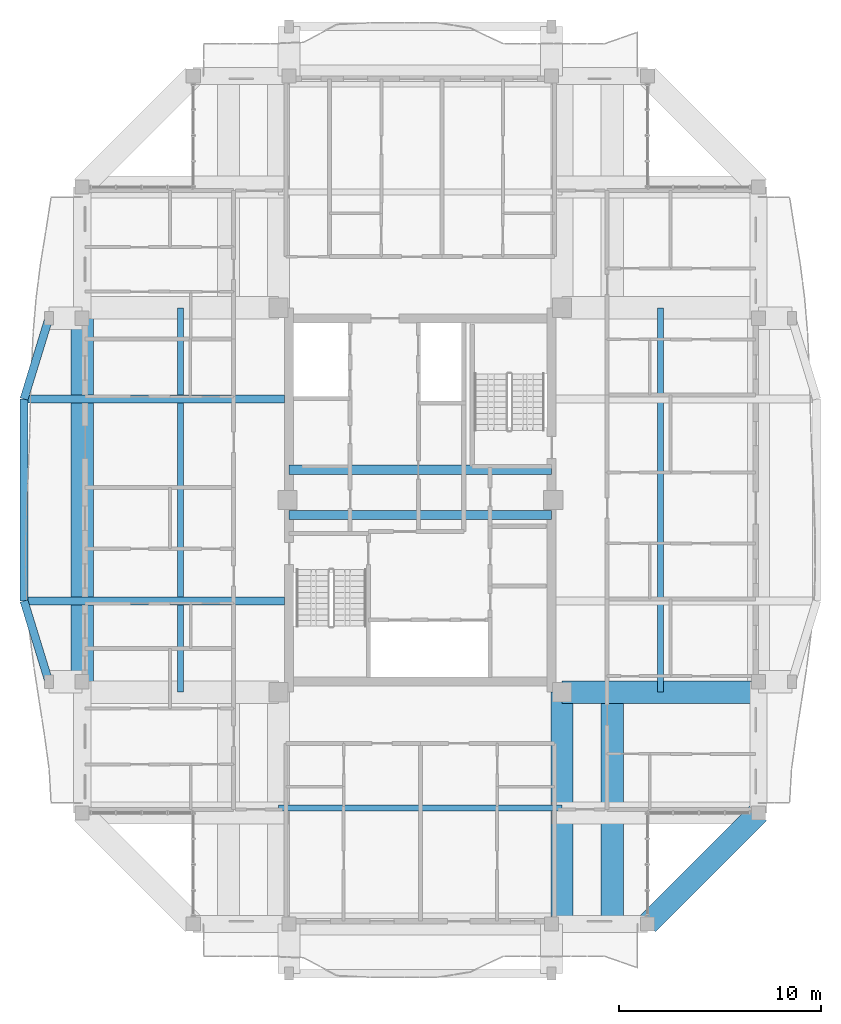
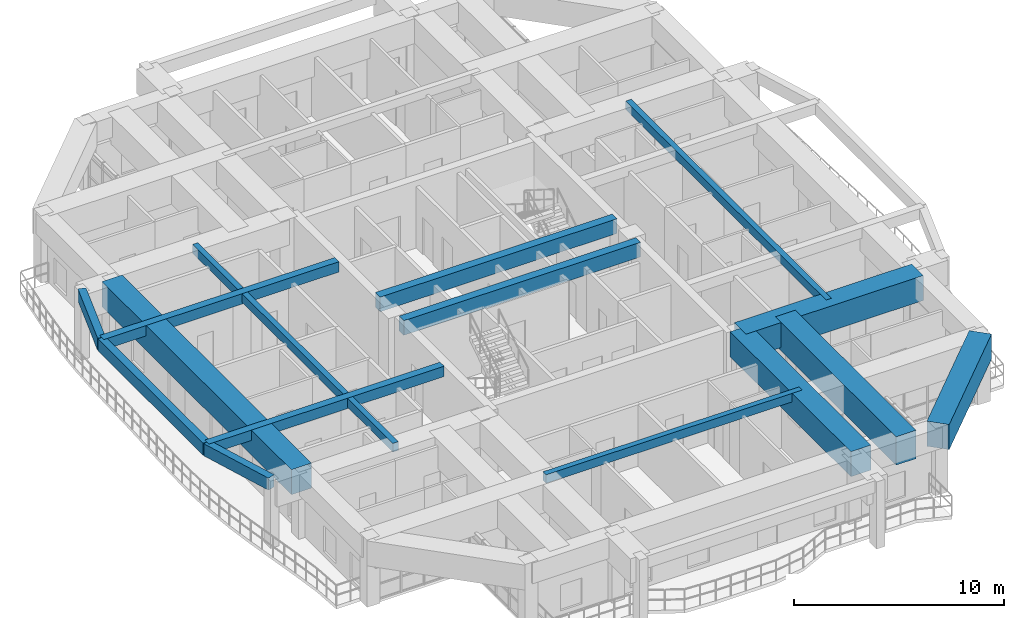
# One storey, part 5 of 27: 15 beams.
"""IFC4 building model written with IfcOpenShell, lengths in metres."""

from ifc_helpers import new_model, si_unit, direction, frame, origin, origin_2d, place, context, subcontext, project, spatial, rectangle, extrude, source, transform, mapped, material, material_profile, profile_set, type_object, element, save


model = new_model("IFC4")

# Units and contexts
model_context = context("Model", 3, precision=1e-05, world=origin(), true_north=direction((0.0, 1.0)))
body_context = subcontext(model_context, "Body", "Model", "MODEL_VIEW")
ifc_project = project(units=[si_unit("LENGTHUNIT", "METRE"), si_unit("AREAUNIT", "SQUARE_METRE"), si_unit("VOLUMEUNIT", "CUBIC_METRE"), si_unit("PLANEANGLEUNIT", "RADIAN"), si_unit("MASSUNIT", "GRAM", prefix="KILO")], contexts=[model_context])

# Site, building, storey
site_placement = place(None, origin())
site = spatial("IfcSite", under=ifc_project, at=site_placement, CompositionType="ELEMENT")
building_placement = place(site_placement, origin())
building = spatial("IfcBuilding", under=site, at=building_placement, Name="Saelheon Loggia Tower", CompositionType="ELEMENT")
storey_placement = place(building_placement, frame((0.0, 0.0, 236.10009765625)))
storey = spatial("IfcBuildingStorey", under=building, at=storey_placement, Name="L73", CompositionType="ELEMENT", Elevation=236.10009765625)

# Beams
ifc_material_1 = material(Name="Concrete C50/60", Category="concrete")
ifc_material_profile_1 = material_profile(ifc_material_1, rectangle(XDim=0.449951171875, YDim=0.85009765625, at=origin_2d()), Name="RC-450x850")
ifc_profile_set_1 = profile_set([ifc_material_profile_1], Name="Concrete C50/60")
beam_type_1 = type_object("IfcBeamType", Name="Beam_CoreLintel_RC450x850", PredefinedType="LINTEL", material=ifc_profile_set_1)
shared_shape_1 = source(origin(), body_context, "Body", "SweptSolid", [
    extrude(rectangle(XDim=0.449951171875, YDim=0.85009765625, at=origin_2d()), origin(), (0.0, 0.0, 1.0), 13.0),
])
for number, where, z_axis, x_axis, name in (
    (1, (31.5, 26.25, 3.474853515625), (1.0, 0.0, 0.0), (0.0, 1.0, 0.0), "L73 Core Coupling Lintel 1"),
    (2, (31.5, 28.5, 3.474853515625), (1.0, 0.0, 0.0), (0.0, 1.0, 0.0), "L73 Core Coupling Lintel 2"),
):
    element("IfcBeam", number, at=place(storey_placement, frame(where, z_axis=z_axis, x_axis=x_axis)), inside=storey, type_object=beam_type_1, Name=name, PredefinedType="LINTEL", context=body_context, shape_type="MappedRepresentation", body=[
        mapped(shared_shape_1, transform((0.0, 0.0, 0.0), scale=1.0)),
    ])
ifc_material_2 = material(Name="Concrete C40/50", Category="concrete")
ifc_material_profile_2 = material_profile(ifc_material_2, rectangle(XDim=0.300048828125, YDim=0.5, at=origin_2d()), Name="RC-300x500")
ifc_profile_set_2 = profile_set([ifc_material_profile_2], Name="Concrete C40/50")
beam_type_2 = type_object("IfcBeamType", Name="Beam_Joist_RC300x500", PredefinedType="JOIST", material=ifc_profile_set_2)
shared_shape_2 = source(origin(), body_context, "Body", "SweptSolid", [
    extrude(rectangle(XDim=0.300048828125, YDim=0.5, at=origin_2d()), origin(), (0.0, 0.0, 1.0), 14.0400390625),
])
beam_1_placement = place(storey_placement, frame((30.97998046875, 11.739990234375, 3.64990234375), z_axis=(1.0, 0.0, 0.0), x_axis=(0.0, 1.0, 0.0)))
element("IfcBeam", 3, at=beam_1_placement, inside=storey, type_object=beam_type_2, Name="L73 South Floor Joist", PredefinedType="JOIST", context=body_context, shape_type="MappedRepresentation", body=[
    mapped(shared_shape_2, transform((0.0, 0.0, 0.0), scale=1.0)),
])
shared_shape_3 = source(origin(), body_context, "Body", "SweptSolid", [
    extrude(rectangle(XDim=0.300048828125, YDim=0.5, at=origin_2d()), origin(), (0.0, 0.0, 1.0), 19.0400390625),
])
for number, where, z_axis, x_axis, name in (
    (4, (26.114990234375, 17.47998046875, 3.64990234375), (0.0, 1.0, 0.0), (-1.0, 0.0, 0.0), "L73 West Floor Joist"),
    (5, (49.885009765625, 17.47998046875, 3.64990234375), (0.0, 1.0, 0.0), (-1.0, 0.0, 0.0), "L73 East Floor Joist"),
):
    element("IfcBeam", number, at=place(storey_placement, frame(where, z_axis=z_axis, x_axis=x_axis)), inside=storey, type_object=beam_type_2, Name=name, PredefinedType="JOIST", context=body_context, shape_type="MappedRepresentation", body=[
        mapped(shared_shape_3, transform((0.0, 0.0, 0.0), scale=1.0)),
    ])
ifc_material_profile_3 = material_profile(ifc_material_1, rectangle(XDim=1.10009765625, YDim=1.449951171875, at=origin_2d()), Name="RC-1100x1450")
ifc_profile_set_3 = profile_set([ifc_material_profile_3], Name="Concrete C50/60")
beam_type_3 = type_object("IfcBeamType", Name="Beam_PerimTransfer_RC1100x1450", PredefinedType="BEAM", material=ifc_profile_set_3)
shared_shape_4 = source(origin(), body_context, "Body", "SweptSolid", [
    extrude(rectangle(XDim=1.10009765625, YDim=1.449951171875, at=origin_2d()), origin(), (0.0, 0.0, 1.0), 18.0),
])
beam_2_placement = place(storey_placement, frame((21.25, 36.0, 3.1748046875), z_axis=(0.0, -1.0, 0.0), x_axis=(1.0, 0.0, 0.0)))
element("IfcBeam", 6, at=beam_2_placement, inside=storey, type_object=beam_type_3, Name="L73 Perimeter Frame Girder 14", PredefinedType="BEAM", context=body_context, shape_type="MappedRepresentation", body=[
    mapped(shared_shape_4, transform((0.0, 0.0, 0.0), scale=1.0)),
])
ifc_material_profile_4 = material_profile(ifc_material_1, rectangle(XDim=1.10009765625, YDim=1.449951171875, at=origin_2d()), Name="RC-1100x1450")
ifc_profile_set_4 = profile_set([ifc_material_profile_4], Name="Concrete C50/60")
beam_type_4 = type_object("IfcBeamType", Name="Beam_Transfer_RC1100x1450", PredefinedType="BEAM", material=ifc_profile_set_4)
shared_shape_5 = source(origin(), body_context, "Body", "SweptSolid", [
    extrude(rectangle(XDim=1.10009765625, YDim=1.449951171875, at=origin_2d()), origin(), (0.0, 0.0, 1.0), 11.47998046875),
])
beam_3_placement = place(storey_placement, frame((45.02001953125, 17.47998046875, 3.1748046875), z_axis=(0.0, -1.0, 0.0), x_axis=(1.0, 0.0, 0.0)))
element("IfcBeam", 7, at=beam_3_placement, inside=storey, type_object=beam_type_4, Name="L73 Radial Floor Girder RAD-SE-S", PredefinedType="BEAM", context=body_context, shape_type="MappedRepresentation", body=[
    mapped(shared_shape_5, transform((0.0, 0.0, 0.0), scale=1.0)),
])
ifc_material_profile_5 = material_profile(ifc_material_1, rectangle(XDim=1.10009765625, YDim=1.64990234375, at=origin_2d()), Name="RC-1100x1650")
ifc_profile_set_5 = profile_set([ifc_material_profile_5], Name="Concrete C50/60")
beam_type_5 = type_object("IfcBeamType", Name="Beam_MegaTransfer_RC1100x1650", PredefinedType="BEAM", material=ifc_profile_set_5)
shared_shape_6 = source(origin(), body_context, "Body", "SweptSolid", [
    extrude(rectangle(XDim=1.10009765625, YDim=1.64990234375, at=origin_2d()), origin(), (0.0, 0.0, 1.0), 11.47998046875),
])
beam_4_placement = place(storey_placement, frame((47.5, 6.0, 3.074951171875), z_axis=(0.0, 1.0, 0.0), x_axis=(-1.0, 0.0, 0.0)))
element("IfcBeam", 8, at=beam_4_placement, inside=storey, type_object=beam_type_5, Name="TG-L73-NL-SE", PredefinedType="BEAM", context=body_context, shape_type="MappedRepresentation", body=[
    mapped(shared_shape_6, transform((0.0, 0.0, 0.0), scale=1.0)),
])
ifc_material_3 = material(Name="Precast Concrete C45/55", Category="concrete")
ifc_material_profile_6 = material_profile(ifc_material_3, rectangle(XDim=0.39990234375, YDim=0.699951171875, at=origin_2d()), Name="RC-400x700")
ifc_profile_set_6 = profile_set([ifc_material_profile_6], Name="Precast Concrete C45/55")
beam_type_6 = type_object("IfcBeamType", Name="Beam_LoggiaSpandrel_RC400x700", PredefinedType="SPANDREL", material=ifc_profile_set_6)
shared_shape_7 = source(origin(), body_context, "Body", "SweptSolid", [
    extrude(rectangle(XDim=0.39990234375, YDim=0.699951171875, at=origin_2d()), origin(), (0.0, 0.0, 1.0), 4.184814453125),
])
for number, where, z_axis, x_axis, name in (
    (9, (19.60009765625, 18.0, 3.5498046875), (-0.293913664135, 0.955831971653, 0.0), (-0.955831971653, -0.293913664135, 0.0), "L73 Curved Loggia Spandrel W 1"),
    (10, (18.3701171875, 32.0, 3.5498046875), (0.293913664135, 0.955831971653, 0.0), (-0.955831971653, 0.293913664135, 0.0), "L73 Curved Loggia Spandrel W 3"),
):
    element("IfcBeam", number, at=place(storey_placement, frame(where, z_axis=z_axis, x_axis=x_axis)), inside=storey, type_object=beam_type_6, Name=name, PredefinedType="SPANDREL", context=body_context, shape_type="MappedRepresentation", body=[
        mapped(shared_shape_7, transform((0.0, 0.0, 0.0), scale=1.0)),
    ])
shared_shape_8 = source(origin(), body_context, "Body", "SweptSolid", [
    extrude(rectangle(XDim=0.39990234375, YDim=0.699951171875, at=origin_2d()), origin(), (0.0, 0.0, 1.0), 10.0),
])
beam_5_placement = place(storey_placement, frame((18.3701171875, 22.0, 3.5498046875), z_axis=(0.0, 1.0, 0.0), x_axis=(-1.0, 0.0, 0.0)))
element("IfcBeam", 11, at=beam_5_placement, inside=storey, type_object=beam_type_6, Name="L73 Curved Loggia Spandrel W 2", PredefinedType="SPANDREL", context=body_context, shape_type="MappedRepresentation", body=[
    mapped(shared_shape_8, transform((0.0, 0.0, 0.0), scale=1.0)),
])
shared_shape_9 = source(origin(), body_context, "Body", "SweptSolid", [
    extrude(rectangle(XDim=1.10009765625, YDim=1.449951171875, at=origin_2d()), origin(), (0.0, 0.0, 1.0), 7.778076171875),
])
beam_6_placement = place(storey_placement, frame((49.25, 6.0, 3.1748046875), z_axis=(0.707106781187, 0.707106781187, 0.0), x_axis=(-0.707106781187, 0.707106781187, 0.0)))
element("IfcBeam", 12, at=beam_6_placement, inside=storey, type_object=beam_type_3, Name="L73 Perimeter Frame Girder 04", PredefinedType="BEAM", context=body_context, shape_type="MappedRepresentation", body=[
    mapped(shared_shape_9, transform((0.0, 0.0, 0.0), scale=1.0)),
])
ifc_material_profile_7 = material_profile(ifc_material_3, rectangle(XDim=0.39990234375, YDim=0.60009765625, at=origin_2d()), Name="RC-400x600")
ifc_profile_set_7 = profile_set([ifc_material_profile_7], Name="Precast Concrete C45/55")
beam_type_7 = type_object("IfcBeamType", Name="Beam_LoggiaTie_RC400x600", PredefinedType="BEAM", material=ifc_profile_set_7)
shared_shape_10 = source(origin(), body_context, "Body", "SweptSolid", [
    extrude(rectangle(XDim=0.39990234375, YDim=0.60009765625, at=origin_2d()), origin(), (0.0, 0.0, 1.0), 12.909912109375),
])
for number, where, z_axis, x_axis, name in (
    (13, (31.280029296875, 22.0, 3.599853515625), (-1.0, 0.0, 0.0), (0.0, -1.0, 0.0), "L73 Curved Facade Outrigger Beam W 1"),
    (14, (31.280029296875, 32.0, 3.599853515625), (-1.0, 0.0, 0.0), (0.0, -1.0, 0.0), "L73 Curved Facade Outrigger Beam W 2"),
):
    element("IfcBeam", number, at=place(storey_placement, frame(where, z_axis=z_axis, x_axis=x_axis)), inside=storey, type_object=beam_type_7, Name=name, PredefinedType="BEAM", context=body_context, shape_type="MappedRepresentation", body=[
        mapped(shared_shape_10, transform((0.0, 0.0, 0.0), scale=1.0)),
    ])
shared_shape_11 = source(origin(), body_context, "Body", "SweptSolid", [
    extrude(rectangle(XDim=1.10009765625, YDim=1.449951171875, at=origin_2d()), origin(), (0.0, 0.0, 1.0), 9.72998046875),
])
beam_7_placement = place(storey_placement, frame((45.02001953125, 17.47998046875, 3.1748046875), z_axis=(1.0, 0.0, 0.0), x_axis=(0.0, 1.0, 0.0)))
element("IfcBeam", 15, at=beam_7_placement, inside=storey, type_object=beam_type_4, Name="L73 Radial Floor Girder RAD-SE-E", PredefinedType="BEAM", context=body_context, shape_type="MappedRepresentation", body=[
    mapped(shared_shape_11, transform((0.0, 0.0, 0.0), scale=1.0)),
])

save(model, "model.ifc")
